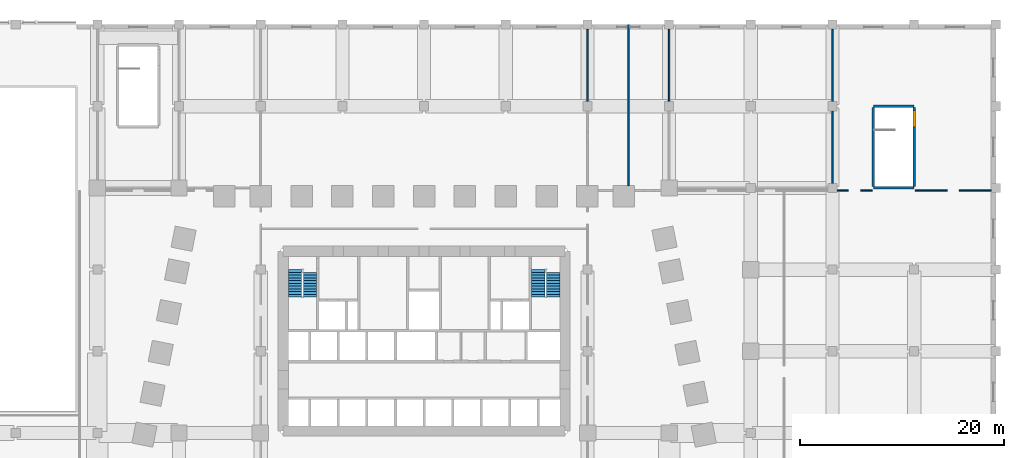
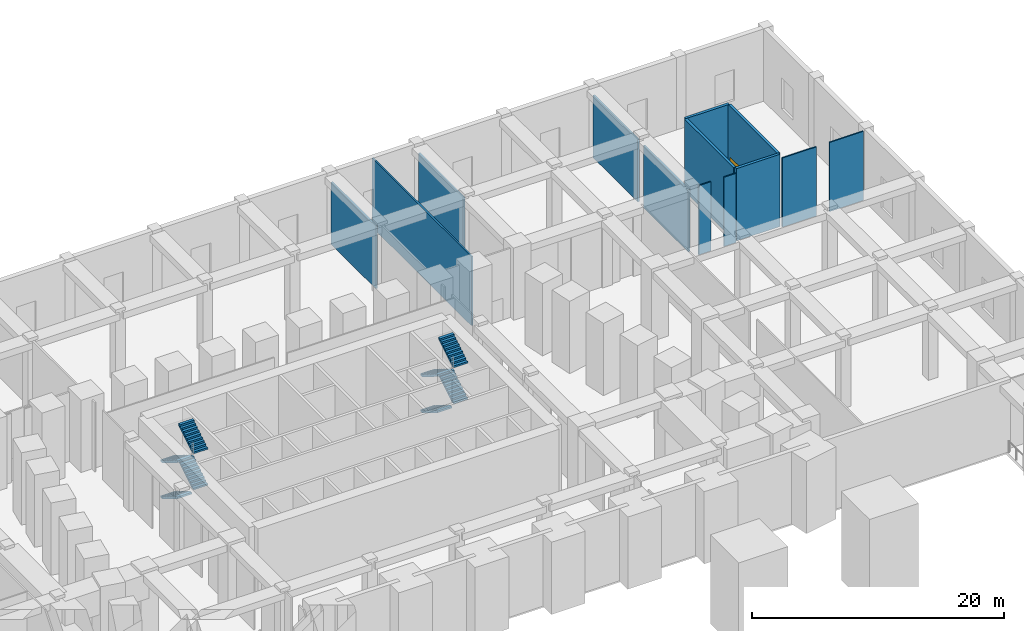
# One storey, part 13 of 18: 13 walls, 8 stair flights, 1 door, 1 opening, 2 elements without a shape of their own.
"""IFC4 building model written with IfcOpenShell, lengths in metres."""

from ifc_helpers import new_model, si_unit, direction, frame, frame_2d, origin, place, context, subcontext, project, spatial, polyline, rectangle, outline, extrude, material, layer, layer_set, type_object, element, fill, aggregate, save


model = new_model("IFC4")

# Units and contexts
model_context = context("Model", 3, precision=1e-05, world=origin(), true_north=direction((0.0, 1.0)))
body_context = subcontext(model_context, "Body", "Model", "MODEL_VIEW")
ifc_project = project(units=[si_unit("LENGTHUNIT", "METRE"), si_unit("AREAUNIT", "SQUARE_METRE"), si_unit("VOLUMEUNIT", "CUBIC_METRE"), si_unit("PLANEANGLEUNIT", "RADIAN"), si_unit("MASSUNIT", "GRAM", prefix="KILO")], contexts=[model_context])

# Site, building, storey
site_placement = place(None, origin())
site = spatial("IfcSite", under=ifc_project, at=site_placement, CompositionType="ELEMENT")
building_placement = place(site_placement, origin())
building = spatial("IfcBuilding", under=site, at=building_placement, Name="Isbrekke Arena Tower", CompositionType="ELEMENT")
storey_placement = place(building_placement, frame((0.0, 0.0, 12.0)))
storey = spatial("IfcBuildingStorey", under=building, at=storey_placement, Name="L02", CompositionType="ELEMENT", Elevation=12.0)

# Walls
ifc_material_1 = material(Name="Gypsum board partition on steel studs", Category="steel")
ifc_layer_1 = layer(ifc_material_1, 0.14990234375)
ifc_layer_set_1 = layer_set([ifc_layer_1], Name="IW1 PARTITION 150")
wall_type_1 = type_object("IfcWallType", Name="IW1 PARTITION 150", PredefinedType="PARTITIONING", material=ifc_layer_set_1)
wall_1_placement = place(storey_placement, frame((16.0, 38.4599609375, 0.0), z_axis=(0.0, 0.0, 1.0), x_axis=(0.0, 1.0, 0.0)))
element("IfcWall", 1, at=wall_1_placement, inside=storey, type_object=wall_type_1, Name="IW1 partition L02", PredefinedType="PARTITIONING", context=body_context, shape_type="SweptSolid", body=[
    extrude(rectangle(XDim=7.080078125, YDim=0.14990234375, at=frame_2d((3.5400390625, 0.0))), origin(), (0.0, 0.0, 1.0), 6.050048828125),
])
wall_2_placement = place(storey_placement, frame((20.0, 30.235107421875, 0.0), z_axis=(0.0, 0.0, 1.0), x_axis=(0.0, 1.0, 0.0)))
element("IfcWall", 2, at=wall_2_placement, inside=storey, type_object=wall_type_1, Name="IW1 partition L02", PredefinedType="PARTITIONING", context=body_context, shape_type="SweptSolid", body=[
    extrude(rectangle(XDim=15.764892578125, YDim=0.14990234375, at=frame_2d((7.88232421875, 0.0))), origin(), (0.0, 0.0, 1.0), 6.699951171875),
])
for number, where, z_axis, x_axis, name in (
    (3, (24.0, 38.4599609375, 0.0), (0.0, 0.0, 1.0), (0.0, 1.0, 0.0), "IW1 partition L02"),
    (4, (40.0, 30.4599609375, 0.0), (0.0, 0.0, 1.0), (0.0, 1.0, 0.0), "IW1 partition L02"),
    (5, (40.0, 38.4599609375, 0.0), (0.0, 0.0, 1.0), (0.0, 1.0, 0.0), "IW1 partition L02"),
):
    element("IfcWall", number, at=place(storey_placement, frame(where, z_axis=z_axis, x_axis=x_axis)), inside=storey, type_object=wall_type_1, Name=name, PredefinedType="PARTITIONING", context=body_context, shape_type="SweptSolid", body=[
        extrude(rectangle(XDim=7.080078125, YDim=0.14990234375, at=frame_2d((3.5400390625, 0.0))), origin(), (0.0, 0.0, 1.0), 6.050048828125),
    ])
ifc_material_2 = material(Name="Frameless glazed partition, laminated acoustic glass", Category="glass")
ifc_layer_2 = layer(ifc_material_2, 0.1201171875)
ifc_layer_set_2 = layer_set([ifc_layer_2], Name="IW2 GLAZED PARTITION 120")
wall_type_2 = type_object("IfcWallType", Name="IW2 GLAZED PARTITION 120", PredefinedType="PARTITIONING", material=ifc_layer_set_2)
for number, where, z_axis, x_axis, name in (
    (6, (40.4599609375, 29.75, 0.0), (0.0, 0.0, 1.0), (1.0, 0.0, 0.0), "IW2 glazed partition L02"),
    (7, (42.767578125, 29.75, 0.0), (0.0, 0.0, 1.0), (1.0, 0.0, 0.0), "IW2 glazed partition L02"),
):
    element("IfcWall", number, at=place(storey_placement, frame(where, z_axis=z_axis, x_axis=x_axis)), inside=storey, type_object=wall_type_2, Name=name, PredefinedType="PARTITIONING", context=body_context, shape_type="SweptSolid", body=[
        extrude(rectangle(XDim=1.107421875, YDim=0.1201171875, at=frame_2d((0.5537109375, 0.0))), origin(), (0.0, 0.0, 1.0), 6.699951171875),
    ])
for number, where, z_axis, x_axis, name in (
    (8, (48.125, 29.75, 0.0), (0.0, 0.0, 1.0), (1.0, 0.0, 0.0), "IW2 glazed partition L02"),
    (9, (52.4326171875, 29.75, 0.0), (0.0, 0.0, 1.0), (1.0, 0.0, 0.0), "IW2 glazed partition L02"),
):
    element("IfcWall", number, at=place(storey_placement, frame(where, z_axis=z_axis, x_axis=x_axis)), inside=storey, type_object=wall_type_2, Name=name, PredefinedType="PARTITIONING", context=body_context, shape_type="SweptSolid", body=[
        extrude(rectangle(XDim=3.107421875, YDim=0.1201171875, at=frame_2d((1.5537109375, 0.0))), origin(), (0.0, 0.0, 1.0), 6.699951171875),
    ])
ifc_material_3 = material(Name="Concrete B45 (C45/55)", Category="concrete")
ifc_layer_3 = layer(ifc_material_3, 0.25)
ifc_layer_set_3 = layer_set([ifc_layer_3], Name="SW1 STAIR ENCLOSURE WALL 250")
wall_type_3 = type_object("IfcWallType", Name="SW1 STAIR ENCLOSURE WALL 250", PredefinedType="SOLIDWALL", material=ifc_layer_set_3)
for number, where, z_axis, x_axis, name in (
    (10, (44.0, 30.0, 0.0), (0.0, 0.0, 1.0), (1.0, 0.0, 0.0), "SW1 stair wall P1 S L02"),
    (11, (48.0, 38.0, 0.0), (0.0, 0.0, 1.0), (-1.0, 0.0, 0.0), "SW1 stair wall P1 N L02"),
):
    element("IfcWall", number, at=place(storey_placement, frame(where, z_axis=z_axis, x_axis=x_axis)), inside=storey, type_object=wall_type_3, Name=name, PredefinedType="SOLIDWALL", context=body_context, shape_type="SweptSolid", body=[
        extrude(rectangle(XDim=4.0, YDim=0.25, at=frame_2d((2.0, 0.0))), origin(), (0.0, 0.0, 1.0), 7.0),
    ])

# Wall, opening, door
wall_3_placement = place(storey_placement, frame((48.0, 30.125, 0.0), z_axis=(0.0, 0.0, 1.0), x_axis=(0.0, 1.0, 0.0)))
wall_3 = element("IfcWall", 12, at=wall_3_placement, inside=storey, type_object=wall_type_3, Name="SW1 stair wall P1 E L02", PredefinedType="SOLIDWALL", context=body_context, shape_type="SweptSolid", body=[
    extrude(rectangle(XDim=7.75, YDim=0.25, at=frame_2d((3.875, 0.0))), origin(), (0.0, 0.0, 1.0), 7.0),
])
opening_placement = place(wall_3_placement, frame((5.85009765625, 0.0, 0.0)))
opening = element("IfcOpeningElement", 13, at=opening_placement, cuts=wall_3, Name="Opening D7", PredefinedType="OPENING", context=body_context, shape_type="SweptSolid", body=[
    extrude(rectangle(XDim=1.60009765625, YDim=2.10009765625, at=frame_2d((0.800048828125, 1.050048828125))), frame((0.0, 0.139892578125, 0.0), z_axis=(0.0, -1.0, 0.0), x_axis=(1.0, 0.0, 0.0)), (0.0, 0.0, 1.0), 0.27978515625),
])
ifc_material_4 = material(Name="Steel fire door", Category="steel")
door_type = type_object("IfcDoorType", Name="D7 PODIUM STAIR DOOR 1600 x 2100", OperationType="DOUBLE_DOOR_SINGLE_SWING", PredefinedType="DOOR", material=ifc_material_4)
door_placement = place(opening_placement, origin())
door = element("IfcDoor", 14, at=door_placement, inside=storey, type_object=door_type, Name="D7 stair door P1 L02", OperationType="DOUBLE_DOOR_SINGLE_SWING", OverallHeight=2.10009765625, OverallWidth=1.60009765625, PredefinedType="DOOR", context=body_context, shape_type="SweptSolid", body=[
    extrude(rectangle(XDim=1.60009765625, YDim=2.10009765625, at=frame_2d((0.800048828125, 1.050048828125))), frame((0.0, 0.124755859375, 0.0), z_axis=(0.0, -1.0, 0.0), x_axis=(1.0, 0.0, 0.0)), (0.0, 0.0, 1.0), 0.24951171875),
])
fill(opening, door)

# Wall
wall_4_placement = place(storey_placement, frame((44.0, 37.875, 0.0), z_axis=(0.0, 0.0, 1.0), x_axis=(0.0, -1.0, 0.0)))
element("IfcWall", 15, at=wall_4_placement, inside=storey, type_object=wall_type_3, Name="SW1 stair wall P1 W L02", PredefinedType="SOLIDWALL", context=body_context, shape_type="SweptSolid", body=[
    extrude(rectangle(XDim=7.75, YDim=0.25, at=frame_2d((3.875, 0.0))), origin(), (0.0, 0.0, 1.0), 7.0),
])

# Stair, stair flights
ifc_material_5 = material(Name="Concrete B45 (C45/55) precast", Category="concrete")
stair_type = type_object("IfcStairType", Name="ST70 STAIR 1300 WIDE, 42 RISERS 167", PredefinedType="HALF_TURN_STAIR", material=ifc_material_5)
stair_1_placement = place(storey_placement, origin())
stair_1 = element("IfcStair", 16, at=stair_1_placement, inside=storey, type_object=stair_type, Name="ST1 stair L02", PredefinedType="HALF_TURN_STAIR")
ifc_material_6 = material(Name="Concrete B45 (C45/55) precast", Category="concrete")
stair_flight_type = type_object("IfcStairFlightType", Name="SF 1300 FLIGHT", PredefinedType="STRAIGHT", material=ifc_material_6)
stair_flight_1_placement = place(storey_placement, frame((-12.64990234375, 22.0, 0.0), z_axis=(0.0, 0.0, 1.0), x_axis=(0.0, -1.0, 0.0)))
stair_flight_1 = element("IfcStairFlight", 17, at=stair_flight_1_placement, type_object=stair_flight_type, Name="ST1 flight 1", NumberOfRisers=11, NumberOfTreads=10, PredefinedType="STRAIGHT", RiserHeight=0.166666667, TreadLength=0.27, context=body_context, shape_type="SweptSolid", body=[
    extrude(outline(polyline([(0.0, 0.0), (0.0, 0.166748046875), (0.27001953125, 0.166748046875), (0.27001953125, 0.333251953125), (0.5400390625, 0.333251953125), (0.5400390625, 0.5), (0.81005859375, 0.5), (0.81005859375, 0.666748046875), (1.080078125, 0.666748046875), (1.080078125, 0.833251953125), (1.35009765625, 0.833251953125), (1.35009765625, 1.0), (1.6201171875, 1.0), (1.6201171875, 1.166748046875), (1.889892578125, 1.166748046875), (1.889892578125, 1.333251953125), (2.159912109375, 1.333251953125), (2.159912109375, 1.5), (2.429931640625, 1.5), (2.429931640625, 1.666748046875), (2.699951171875, 1.666748046875), (2.699951171875, 1.833251953125), (2.699951171875, 1.490478515625), (0.285400390625, 0.0), (0.0, 0.0)])), frame((0.0, 0.64990234375, 0.0), z_axis=(0.0, -1.0, 0.0), x_axis=(1.0, 0.0, 0.0)), (0.0, 0.0, 1.0), 1.300048828125),
])
stair_flight_2_placement = place(storey_placement, frame((-11.175048828125, 19.300048828125, 1.833251953125), z_axis=(0.0, 0.0, 1.0), x_axis=(0.0, 1.0, 0.0)))
stair_flight_2 = element("IfcStairFlight", 18, at=stair_flight_2_placement, type_object=stair_flight_type, Name="ST1 flight 2", NumberOfRisers=10, NumberOfTreads=9, PredefinedType="STRAIGHT", RiserHeight=0.166666667, TreadLength=0.27, context=body_context, shape_type="SweptSolid", body=[
    extrude(outline(polyline([(0.0, 0.0), (0.0, 0.166748046875), (0.27001953125, 0.166748046875), (0.27001953125, 0.333251953125), (0.5400390625, 0.333251953125), (0.5400390625, 0.5), (0.81005859375, 0.5), (0.81005859375, 0.666748046875), (1.080078125, 0.666748046875), (1.080078125, 0.833251953125), (1.35009765625, 0.833251953125), (1.35009765625, 1.0), (1.6201171875, 1.0), (1.6201171875, 1.166748046875), (1.889892578125, 1.166748046875), (1.889892578125, 1.333251953125), (2.159912109375, 1.333251953125), (2.159912109375, 1.5), (2.429931640625, 1.5), (2.429931640625, 1.666748046875), (2.429931640625, 1.32373046875), (0.285400390625, 0.0), (0.0, 0.0)])), frame((0.0, 0.64990234375, 0.0), z_axis=(0.0, -1.0, 0.0), x_axis=(1.0, 0.0, 0.0)), (0.0, 0.0, 1.0), 1.300048828125),
])
stair_flight_3_placement = place(storey_placement, frame((-12.64990234375, 22.0, 3.5), z_axis=(0.0, 0.0, 1.0), x_axis=(0.0, -1.0, 0.0)))
stair_flight_3 = element("IfcStairFlight", 19, at=stair_flight_3_placement, type_object=stair_flight_type, Name="ST1 flight 3", NumberOfRisers=11, NumberOfTreads=10, PredefinedType="STRAIGHT", RiserHeight=0.166666667, TreadLength=0.27, context=body_context, shape_type="SweptSolid", body=[
    extrude(outline(polyline([(0.0, 0.0), (0.0, 0.166748046875), (0.27001953125, 0.166748046875), (0.27001953125, 0.333251953125), (0.5400390625, 0.333251953125), (0.5400390625, 0.5), (0.81005859375, 0.5), (0.81005859375, 0.666748046875), (1.080078125, 0.666748046875), (1.080078125, 0.833251953125), (1.35009765625, 0.833251953125), (1.35009765625, 1.0), (1.6201171875, 1.0), (1.6201171875, 1.166748046875), (1.889892578125, 1.166748046875), (1.889892578125, 1.333251953125), (2.159912109375, 1.333251953125), (2.159912109375, 1.5), (2.429931640625, 1.5), (2.429931640625, 1.666748046875), (2.699951171875, 1.666748046875), (2.699951171875, 1.833251953125), (2.699951171875, 1.490478515625), (0.285400390625, 0.0), (0.0, 0.0)])), frame((0.0, 0.64990234375, 0.0), z_axis=(0.0, -1.0, 0.0), x_axis=(1.0, 0.0, 0.0)), (0.0, 0.0, 1.0), 1.300048828125),
])
stair_flight_4_placement = place(storey_placement, frame((-11.175048828125, 19.300048828125, 5.333251953125), z_axis=(0.0, 0.0, 1.0), x_axis=(0.0, 1.0, 0.0)))
stair_flight_4 = element("IfcStairFlight", 20, at=stair_flight_4_placement, type_object=stair_flight_type, Name="ST1 flight 4", NumberOfRisers=10, NumberOfTreads=9, PredefinedType="STRAIGHT", RiserHeight=0.166666667, TreadLength=0.27, context=body_context, shape_type="SweptSolid", body=[
    extrude(outline(polyline([(0.0, 0.0), (0.0, 0.166748046875), (0.27001953125, 0.166748046875), (0.27001953125, 0.333251953125), (0.5400390625, 0.333251953125), (0.5400390625, 0.5), (0.81005859375, 0.5), (0.81005859375, 0.666748046875), (1.080078125, 0.666748046875), (1.080078125, 0.833251953125), (1.35009765625, 0.833251953125), (1.35009765625, 1.0), (1.6201171875, 1.0), (1.6201171875, 1.166748046875), (1.889892578125, 1.166748046875), (1.889892578125, 1.333251953125), (2.159912109375, 1.333251953125), (2.159912109375, 1.5), (2.429931640625, 1.5), (2.429931640625, 1.666748046875), (2.429931640625, 1.32373046875), (0.285400390625, 0.0), (0.0, 0.0)])), frame((0.0, 0.64990234375, 0.0), z_axis=(0.0, -1.0, 0.0), x_axis=(1.0, 0.0, 0.0)), (0.0, 0.0, 1.0), 1.300048828125),
])
aggregate(stair_1, [stair_flight_1, stair_flight_2, stair_flight_3, stair_flight_4])

stair_2_placement = place(storey_placement, origin())
stair_2 = element("IfcStair", 21, at=stair_2_placement, inside=storey, type_object=stair_type, Name="ST2 stair L02", PredefinedType="HALF_TURN_STAIR")
stair_flight_5_placement = place(storey_placement, frame((11.175048828125, 22.0, 0.0), z_axis=(0.0, 0.0, 1.0), x_axis=(0.0, -1.0, 0.0)))
stair_flight_5 = element("IfcStairFlight", 22, at=stair_flight_5_placement, type_object=stair_flight_type, Name="ST2 flight 1", NumberOfRisers=11, NumberOfTreads=10, PredefinedType="STRAIGHT", RiserHeight=0.166666667, TreadLength=0.27, context=body_context, shape_type="SweptSolid", body=[
    extrude(outline(polyline([(0.0, 0.0), (0.0, 0.166748046875), (0.27001953125, 0.166748046875), (0.27001953125, 0.333251953125), (0.5400390625, 0.333251953125), (0.5400390625, 0.5), (0.81005859375, 0.5), (0.81005859375, 0.666748046875), (1.080078125, 0.666748046875), (1.080078125, 0.833251953125), (1.35009765625, 0.833251953125), (1.35009765625, 1.0), (1.6201171875, 1.0), (1.6201171875, 1.166748046875), (1.889892578125, 1.166748046875), (1.889892578125, 1.333251953125), (2.159912109375, 1.333251953125), (2.159912109375, 1.5), (2.429931640625, 1.5), (2.429931640625, 1.666748046875), (2.699951171875, 1.666748046875), (2.699951171875, 1.833251953125), (2.699951171875, 1.490478515625), (0.285400390625, 0.0), (0.0, 0.0)])), frame((0.0, 0.64990234375, 0.0), z_axis=(0.0, -1.0, 0.0), x_axis=(1.0, 0.0, 0.0)), (0.0, 0.0, 1.0), 1.300048828125),
])
stair_flight_6_placement = place(storey_placement, frame((12.64990234375, 19.300048828125, 1.833251953125), z_axis=(0.0, 0.0, 1.0), x_axis=(0.0, 1.0, 0.0)))
stair_flight_6 = element("IfcStairFlight", 23, at=stair_flight_6_placement, type_object=stair_flight_type, Name="ST2 flight 2", NumberOfRisers=10, NumberOfTreads=9, PredefinedType="STRAIGHT", RiserHeight=0.166666667, TreadLength=0.27, context=body_context, shape_type="SweptSolid", body=[
    extrude(outline(polyline([(0.0, 0.0), (0.0, 0.166748046875), (0.27001953125, 0.166748046875), (0.27001953125, 0.333251953125), (0.5400390625, 0.333251953125), (0.5400390625, 0.5), (0.81005859375, 0.5), (0.81005859375, 0.666748046875), (1.080078125, 0.666748046875), (1.080078125, 0.833251953125), (1.35009765625, 0.833251953125), (1.35009765625, 1.0), (1.6201171875, 1.0), (1.6201171875, 1.166748046875), (1.889892578125, 1.166748046875), (1.889892578125, 1.333251953125), (2.159912109375, 1.333251953125), (2.159912109375, 1.5), (2.429931640625, 1.5), (2.429931640625, 1.666748046875), (2.429931640625, 1.32373046875), (0.285400390625, 0.0), (0.0, 0.0)])), frame((0.0, 0.64990234375, 0.0), z_axis=(0.0, -1.0, 0.0), x_axis=(1.0, 0.0, 0.0)), (0.0, 0.0, 1.0), 1.300048828125),
])
stair_flight_7_placement = place(storey_placement, frame((11.175048828125, 22.0, 3.5), z_axis=(0.0, 0.0, 1.0), x_axis=(0.0, -1.0, 0.0)))
stair_flight_7 = element("IfcStairFlight", 24, at=stair_flight_7_placement, type_object=stair_flight_type, Name="ST2 flight 3", NumberOfRisers=11, NumberOfTreads=10, PredefinedType="STRAIGHT", RiserHeight=0.166666667, TreadLength=0.27, context=body_context, shape_type="SweptSolid", body=[
    extrude(outline(polyline([(0.0, 0.0), (0.0, 0.166748046875), (0.27001953125, 0.166748046875), (0.27001953125, 0.333251953125), (0.5400390625, 0.333251953125), (0.5400390625, 0.5), (0.81005859375, 0.5), (0.81005859375, 0.666748046875), (1.080078125, 0.666748046875), (1.080078125, 0.833251953125), (1.35009765625, 0.833251953125), (1.35009765625, 1.0), (1.6201171875, 1.0), (1.6201171875, 1.166748046875), (1.889892578125, 1.166748046875), (1.889892578125, 1.333251953125), (2.159912109375, 1.333251953125), (2.159912109375, 1.5), (2.429931640625, 1.5), (2.429931640625, 1.666748046875), (2.699951171875, 1.666748046875), (2.699951171875, 1.833251953125), (2.699951171875, 1.490478515625), (0.285400390625, 0.0), (0.0, 0.0)])), frame((0.0, 0.64990234375, 0.0), z_axis=(0.0, -1.0, 0.0), x_axis=(1.0, 0.0, 0.0)), (0.0, 0.0, 1.0), 1.300048828125),
])
stair_flight_8_placement = place(storey_placement, frame((12.64990234375, 19.300048828125, 5.333251953125), z_axis=(0.0, 0.0, 1.0), x_axis=(0.0, 1.0, 0.0)))
stair_flight_8 = element("IfcStairFlight", 25, at=stair_flight_8_placement, type_object=stair_flight_type, Name="ST2 flight 4", NumberOfRisers=10, NumberOfTreads=9, PredefinedType="STRAIGHT", RiserHeight=0.166666667, TreadLength=0.27, context=body_context, shape_type="SweptSolid", body=[
    extrude(outline(polyline([(0.0, 0.0), (0.0, 0.166748046875), (0.27001953125, 0.166748046875), (0.27001953125, 0.333251953125), (0.5400390625, 0.333251953125), (0.5400390625, 0.5), (0.81005859375, 0.5), (0.81005859375, 0.666748046875), (1.080078125, 0.666748046875), (1.080078125, 0.833251953125), (1.35009765625, 0.833251953125), (1.35009765625, 1.0), (1.6201171875, 1.0), (1.6201171875, 1.166748046875), (1.889892578125, 1.166748046875), (1.889892578125, 1.333251953125), (2.159912109375, 1.333251953125), (2.159912109375, 1.5), (2.429931640625, 1.5), (2.429931640625, 1.666748046875), (2.429931640625, 1.32373046875), (0.285400390625, 0.0), (0.0, 0.0)])), frame((0.0, 0.64990234375, 0.0), z_axis=(0.0, -1.0, 0.0), x_axis=(1.0, 0.0, 0.0)), (0.0, 0.0, 1.0), 1.300048828125),
])
aggregate(stair_2, [stair_flight_5, stair_flight_6, stair_flight_7, stair_flight_8])

save(model, "model.ifc")
